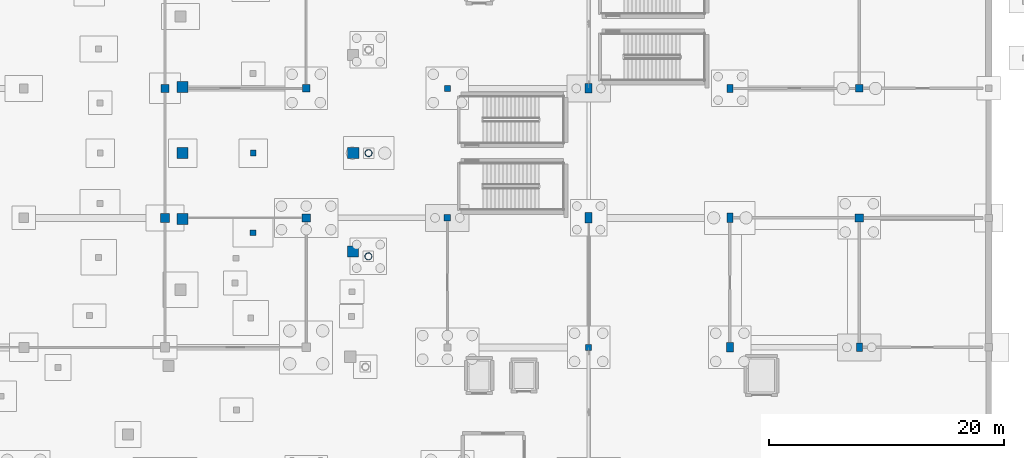
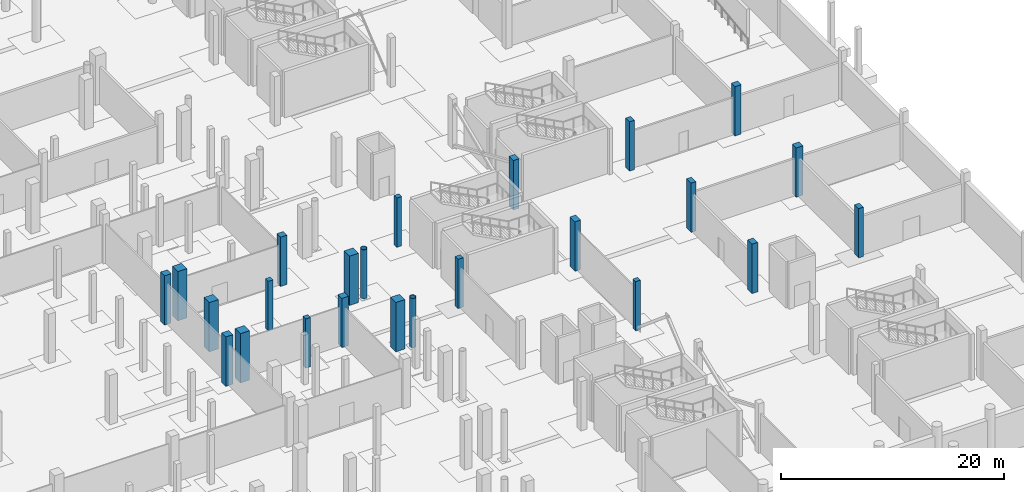
# One storey, part 19 of 60: 24 columns.
"""IFC4 building model written with IfcOpenShell, lengths in metres."""

import ifcopenshell
import ifcopenshell.guid

model = None  # the IFC model being written
_history = None  # IfcOwnerHistory: only IFC2X3 demands one
_inside = {}  # id of a spatial element -> (the spatial element, [elements in it])
_under = {}  # id of a project, library or spatial element -> (it, [spatial elements below it])
_declared = {}  # id of a project -> (the project, [libraries it declares])
_typed = {}  # id of a type object -> (the type object, [elements of that type])
_made_of = {}  # id of a material, layer set ... -> (it, [elements and type objects made of it])


def new_model(schema):
    """Start an empty IFC model of exactly this schema.

    Asked for "IFC4X3", IfcOpenShell would pick the latest addendum, in which some entities
    have other attributes; the version numbers below select the first issue.
    IFC2X3 requires an IfcOwnerHistory on every rooted entity: one is made here for all.
    """
    global model, _history
    if schema == "IFC4X3":
        model = ifcopenshell.file(schema_version=(4, 3, 0, 0))
    else:
        model = ifcopenshell.file(schema=schema)
    _inside.clear()
    _under.clear()
    _declared.clear()
    _typed.clear()
    _made_of.clear()
    _history = None
    if model.schema == "IFC2X3":
        org = make("IfcOrganization", Name="unknown")
        user = make(
            "IfcPersonAndOrganization",
            ThePerson=make("IfcPerson", FamilyName="unknown"),
            TheOrganization=org,
        )
        app = make(
            "IfcApplication",
            ApplicationDeveloper=org,
            Version="unknown",
            ApplicationFullName="unknown",
            ApplicationIdentifier="unknown",
        )
        _history = make(
            "IfcOwnerHistory",
            OwningUser=user,
            OwningApplication=app,
            ChangeAction="ADDED",
            CreationDate=0,
        )
    return model


def make(cls, **values):
    """One entity of the class cls with the attributes given. An attribute that is None is left unset."""
    return model.create_entity(
        cls, **{name: value for name, value in values.items() if value is not None}
    )


def rooted(cls, **values):
    """An entity with a GlobalId (a new one), such as an element, a storey or a relation."""
    return make(cls, GlobalId=ifcopenshell.guid.new(), OwnerHistory=_history, **values)


def si_unit(unit_type, name, prefix=None):
    """IfcSIUnit, for example si_unit("LENGTHUNIT", "METRE", prefix="MILLI")."""
    return make("IfcSIUnit", UnitType=unit_type, Prefix=prefix, Name=name)


def assignment(units):
    """IfcUnitAssignment: the units of a project."""
    return None if units is None else make("IfcUnitAssignment", Units=units)


def point(xyz):
    """IfcCartesianPoint."""
    return None if xyz is None else make("IfcCartesianPoint", Coordinates=xyz)


def direction(xyz):
    """IfcDirection."""
    return None if xyz is None else make("IfcDirection", DirectionRatios=xyz)


def frame(location, z_axis=None, x_axis=None):
    """IfcAxis2Placement3D, a coordinate frame: its origin and axes. An axis left out is left unset."""
    return make(
        "IfcAxis2Placement3D",
        Location=point(location),
        Axis=direction(z_axis),
        RefDirection=direction(x_axis),
    )


def frame_2d(location, x_axis=None):
    """IfcAxis2Placement2D, a coordinate frame in the plane: its origin and x axis."""
    return make(
        "IfcAxis2Placement2D", Location=point(location), RefDirection=direction(x_axis)
    )


def origin():
    """The frame at (0, 0, 0) with its axes left unset."""
    return frame((0.0, 0.0, 0.0))


def origin_2d():
    """The frame at (0, 0) in the plane with its x axis left unset."""
    return frame_2d((0.0, 0.0))


def place(relative_to, where):
    """IfcLocalPlacement: puts the frame where relative to a parent placement (None: the world)."""
    return make(
        "IfcLocalPlacement", PlacementRelTo=relative_to, RelativePlacement=where
    )


def context(
    kind, dimensions, precision=None, world=None, true_north=None, identifier=None
):
    """IfcGeometricRepresentationContext, for example the 3D "Model" context."""
    return make(
        "IfcGeometricRepresentationContext",
        ContextIdentifier=identifier,
        ContextType=kind,
        CoordinateSpaceDimension=dimensions,
        Precision=precision,
        WorldCoordinateSystem=world,
        TrueNorth=true_north,
    )


def subcontext(parent, identifier, kind, view, scale=None):
    """IfcGeometricRepresentationSubContext, for example "Body" below "Model"."""
    return make(
        "IfcGeometricRepresentationSubContext",
        ContextIdentifier=identifier,
        ContextType=kind,
        ParentContext=parent,
        TargetScale=scale,
        TargetView=view,
    )


def project(units=None, contexts=None):
    """IfcProject with its units and contexts."""
    return rooted(
        "IfcProject",
        Name="project",
        RepresentationContexts=contexts,
        UnitsInContext=assignment(units),
    )


def spatial(cls, under=None, at=None, **own):
    """A site, building, storey or space (cls), placed at a placement, below another one or the project."""
    s = rooted(cls, ObjectPlacement=at, **own)
    if under is not None:
        _under.setdefault(under.id(), (under, []))[1].append(s)
    return s


def profile(cls, at=None, kind="AREA", **sizes):
    """A parametric profile (cls). Its sizes go by their IFC names, for example OverallWidth=200.0."""
    return make(cls, ProfileType=kind, Position=at, **sizes)


def rectangle(**sizes):
    """IfcRectangleProfileDef."""
    return profile("IfcRectangleProfileDef", **sizes)


def hollow_circle(**sizes):
    """IfcCircleHollowProfileDef."""
    return profile("IfcCircleHollowProfileDef", **sizes)


def extrude(swept, where, along, depth):
    """IfcExtrudedAreaSolid: the profile swept, set in the frame where, extruded along a direction by depth."""
    return make(
        "IfcExtrudedAreaSolid",
        SweptArea=swept,
        Position=where,
        ExtrudedDirection=direction(along),
        Depth=depth,
    )


def shape(context_of_items, identifier, shape_type, items):
    """IfcShapeRepresentation: the items that make up one representation, for example the "Body"."""
    return make(
        "IfcShapeRepresentation",
        ContextOfItems=context_of_items,
        RepresentationIdentifier=identifier,
        RepresentationType=shape_type,
        Items=items,
    )


def material(Name=None, Category=None):
    """IfcMaterial."""
    return make("IfcMaterial", Name=Name, Category=Category)


def material_profile(
    of_material, cross_section, Name=None, Category=None, Priority=None
):
    """IfcMaterialProfile: a cross section and its material."""
    return make(
        "IfcMaterialProfile",
        Name=Name,
        Material=of_material,
        Profile=cross_section,
        Priority=Priority,
        Category=Category,
    )


def profile_set(profiles, Name=None, composite=None):
    """IfcMaterialProfileSet."""
    return make(
        "IfcMaterialProfileSet",
        Name=Name,
        MaterialProfiles=profiles,
        CompositeProfile=composite,
    )


def made_of(thing, what):
    """Note that an element or type object is made of a material, layer set ...; save() writes the relation."""
    if what is not None:
        _made_of.setdefault(what.id(), (what, []))[1].append(thing)
    return thing


def type_object(cls, material=None, **own):
    """A type object (cls), such as IfcWallType, which elements share."""
    return made_of(rooted(cls, **own), material)


def element(
    cls,
    number,
    at=None,
    inside=None,
    cuts=None,
    type_object=None,
    material=None,
    context=None,
    identifier="Body",
    shape_type=None,
    held_by="IfcProductDefinitionShape",
    body=None,
    shapes=None,
    **own,
):
    """One element of the class cls, such as IfcWall. Its Tag is "e" and its number.

    at: its placement. inside: the storey or other place that contains it. cuts: it is an
    opening in that element (IfcRelVoidsElement). A single representation is given by context,
    identifier, shape_type and body (its items); several are given by shapes. held_by: the class
    of the entity that holds the representations. save() writes the other relations.
    """
    e = rooted(cls, Tag="e%d" % number, ObjectPlacement=at, **own)
    if body is not None:
        shapes = [shape(context, identifier, shape_type, body)]
    if shapes is not None:
        e.Representation = make(held_by, Representations=shapes)
    if inside is not None:
        _inside.setdefault(inside.id(), (inside, []))[1].append(e)
    if cuts is not None:
        rooted(
            "IfcRelVoidsElement", RelatingBuildingElement=cuts, RelatedOpeningElement=e
        )
    if type_object is not None:
        _typed.setdefault(type_object.id(), (type_object, []))[1].append(e)
    return made_of(e, material)


def aggregate(whole, parts):
    """IfcRelAggregates: a whole, such as a stair, and the parts it consists of."""
    return rooted("IfcRelAggregates", RelatingObject=whole, RelatedObjects=parts)


def save(model, path):
    """Write the relations noted so far, then the file.

    IfcRelAggregates (storeys below a building ...), IfcRelContainedInSpatialStructure (elements
    in a storey), IfcRelDefinesByType, IfcRelAssociatesMaterial and IfcRelDeclares: one each for
    every whole, place, type object, material and project.
    """
    for whole, parts in _under.values():
        aggregate(whole, parts)
    for where, things in _inside.values():
        rooted(
            "IfcRelContainedInSpatialStructure",
            RelatedElements=things,
            RelatingStructure=where,
        )
    for kind, things in _typed.values():
        rooted("IfcRelDefinesByType", RelatedObjects=things, RelatingType=kind)
    for what, things in _made_of.values():
        rooted("IfcRelAssociatesMaterial", RelatedObjects=things, RelatingMaterial=what)
    for by, libraries in _declared.values():
        rooted("IfcRelDeclares", RelatingContext=by, RelatedDefinitions=libraries)
    model.write(path)


model = new_model("IFC4")

# Units and contexts
model_context = context("Model", 3, precision=1e-05, world=origin(), true_north=direction((0.0, 1.0)))
body_context = subcontext(model_context, "Body", "Model", "MODEL_VIEW")
ifc_project = project(units=[si_unit("LENGTHUNIT", "METRE"), si_unit("AREAUNIT", "SQUARE_METRE"), si_unit("VOLUMEUNIT", "CUBIC_METRE"), si_unit("PLANEANGLEUNIT", "RADIAN"), si_unit("MASSUNIT", "GRAM", prefix="KILO")], contexts=[model_context])

# Site, building, storey
site_placement = place(None, origin())
site = spatial("IfcSite", under=ifc_project, at=site_placement, CompositionType="ELEMENT")
building_placement = place(site_placement, origin())
building = spatial("IfcBuilding", under=site, at=building_placement, Name="Luwafu Chhajja Arena", CompositionType="ELEMENT")
storey_placement = place(building_placement, frame((0.0, 0.0, -5.39990234375)))
storey = spatial("IfcBuildingStorey", under=building, at=storey_placement, Name="B1", CompositionType="ELEMENT", Elevation=-5.39990234375)

# Columns
ifc_material_1 = material(Name="Concrete C35/45", Category="concrete")
ifc_material_profile_1 = material_profile(ifc_material_1, rectangle(XDim=0.5, YDim=0.800048828125, at=origin_2d()), Name="RC 500x800")
ifc_profile_set_1 = profile_set([ifc_material_profile_1], Name="Concrete C35/45")
column_type_1 = type_object("IfcColumnType", Name="BOH Frame Column RC 500x800", PredefinedType="COLUMN", material=ifc_profile_set_1)
column_1_placement = place(storey_placement, frame((176.0, 44.0, 0.0), z_axis=(0.0, 0.0, 1.0), x_axis=(1.0, 0.0, 0.0)))
element("IfcColumn", 1, at=column_1_placement, inside=storey, type_object=column_type_1, Name="B1 Grid Column 16/E", PredefinedType="COLUMN", context=body_context, shape_type="SweptSolid", body=[
    extrude(rectangle(XDim=0.5, YDim=0.800048828125, at=origin_2d()), origin(), (0.0, 0.0, 1.0), 5.39990234375),
])
ifc_material_2 = material(Name="Concrete C40/50", Category="concrete")
ifc_material_profile_2 = material_profile(ifc_material_2, rectangle(XDim=0.949951171875, YDim=0.949951171875, at=origin_2d()), Name="RC 950x950")
ifc_profile_set_2 = profile_set([ifc_material_profile_2], Name="Concrete C40/50")
column_type_2 = type_object("IfcColumnType", Name="Bowl Raker Support Column RC 950", PredefinedType="COLUMN", material=ifc_profile_set_2)
for number, where, z_axis, x_axis, name in (
    (2, (129.5, 49.5, 0.0), (0.0, 0.0, 1.0), (1.0, 0.0, 0.0), "B1 Upper Bowl Raker Column UI01"),
    (3, (129.49169921875, 55.10791015625, 0.0), (0.0, 0.0, 1.0), (1.0, 0.0, 0.0), "B1 Upper Bowl Raker Column UI02"),
    (4, (129.49169921875, 43.89208984375, 0.0), (0.0, 0.0, 1.0), (1.0, 0.0, 0.0), "B1 Upper Bowl Raker Column UI32"),
    (5, (144.0, 49.5, 0.0), (0.0, 0.0, 1.0), (1.0, 0.0, 0.0), "B1 Upper Bowl Raker Column UO01"),
    (6, (143.98779296875, 41.14794921875, 0.0), (0.0, 0.0, 1.0), (1.0, 0.0, 0.0), "B1 Upper Bowl Raker Column UO32"),
):
    element("IfcColumn", number, at=place(storey_placement, frame(where, z_axis=z_axis, x_axis=x_axis)), inside=storey, type_object=column_type_2, Name=name, PredefinedType="COLUMN", context=body_context, shape_type="SweptSolid", body=[
        extrude(rectangle(XDim=0.949951171875, YDim=0.949951171875, at=origin_2d()), origin(), (0.0, 0.0, 1.0), 5.39990234375),
    ])
ifc_material_profile_3 = material_profile(ifc_material_1, rectangle(XDim=0.550048828125, YDim=0.550048828125, at=origin_2d()), Name="RC 550x550")
ifc_profile_set_3 = profile_set([ifc_material_profile_3], Name="Concrete C35/45")
column_type_3 = type_object("IfcColumnType", Name="Gallery Column RC 550", PredefinedType="COLUMN", material=ifc_profile_set_3)
column_2_placement = place(storey_placement, frame((152.0, 44.0, 0.0), z_axis=(0.0, 0.0, 1.0), x_axis=(1.0, 0.0, 0.0)))
element("IfcColumn", 7, at=column_2_placement, inside=storey, type_object=column_type_3, Name="B1 Grid Column 14/E", PredefinedType="COLUMN", context=body_context, shape_type="SweptSolid", body=[
    extrude(rectangle(XDim=0.550048828125, YDim=0.550048828125, at=origin_2d()), origin(), (0.0, 0.0, 1.0), 5.39990234375),
])
ifc_material_profile_4 = material_profile(ifc_material_1, rectangle(XDim=0.75, YDim=0.75, at=origin_2d()), Name="RC 750x750")
ifc_profile_set_4 = profile_set([ifc_material_profile_4], Name="Concrete C35/45")
column_type_4 = type_object("IfcColumnType", Name="Hospitality Ring Column RC 750", PredefinedType="COLUMN", material=ifc_profile_set_4)
column_3_placement = place(storey_placement, frame((128.0, 44.0, 0.0), z_axis=(0.0, 0.0, 1.0), x_axis=(1.0, 0.0, 0.0)))
element("IfcColumn", 8, at=column_3_placement, inside=storey, type_object=column_type_4, Name="B1 Grid Column 12/E", PredefinedType="COLUMN", context=body_context, shape_type="SweptSolid", body=[
    extrude(rectangle(XDim=0.75, YDim=0.75, at=origin_2d()), origin(), (0.0, 0.0, 1.0), 5.39990234375),
])
ifc_material_profile_5 = material_profile(ifc_material_1, rectangle(XDim=0.5, YDim=0.5, at=origin_2d()), Name="RC 500x500")
ifc_profile_set_5 = profile_set([ifc_material_profile_5], Name="Concrete C35/45")
column_type_5 = type_object("IfcColumnType", Name="Pavilion Column RC 500", PredefinedType="COLUMN", material=ifc_profile_set_5)
for number, where, z_axis, x_axis, name in (
    (9, (152.0, 55.0, 0.0), (0.0, 0.0, 1.0), (1.0, 0.0, 0.0), "B1 Grid Column 14/F"),
    (10, (164.0, 33.0, 0.0), (0.0, 0.0, 1.0), (1.0, 0.0, 0.0), "B1 Grid Column 15/D"),
    (11, (135.5, 49.5, 0.0), (0.0, 0.0, 1.0), (1.0, 0.0, 0.0), "B1 Lower Bowl Support Column 01"),
    (12, (135.490234375, 42.73876953125, 0.0), (0.0, 0.0, 1.0), (1.0, 0.0, 0.0), "B1 Lower Bowl Support Column 32"),
):
    element("IfcColumn", number, at=place(storey_placement, frame(where, z_axis=z_axis, x_axis=x_axis)), inside=storey, type_object=column_type_5, Name=name, PredefinedType="COLUMN", context=body_context, shape_type="SweptSolid", body=[
        extrude(rectangle(XDim=0.5, YDim=0.5, at=origin_2d()), origin(), (0.0, 0.0, 1.0), 5.39990234375),
    ])
ifc_material_profile_6 = material_profile(ifc_material_1, rectangle(XDim=0.5, YDim=0.699951171875, at=origin_2d()), Name="RC 500x700")
ifc_profile_set_6 = profile_set([ifc_material_profile_6], Name="Concrete C35/45")
column_type_6 = type_object("IfcColumnType", Name="Perimeter Pilaster Column RC 500x700", PredefinedType="COLUMN", material=ifc_profile_set_6)
for number, where, z_axis, x_axis, name in (
    (13, (176.0, 55.0, 0.0), (0.0, 0.0, 1.0), (1.0, 0.0, 0.0), "B1 Grid Column 16/F"),
    (14, (187.0, 33.0, 0.0), (0.0, 0.0, 1.0), (1.0, 0.0, 0.0), "B1 Grid Column 17/D"),
):
    element("IfcColumn", number, at=place(storey_placement, frame(where, z_axis=z_axis, x_axis=x_axis)), inside=storey, type_object=column_type_6, Name=name, PredefinedType="COLUMN", context=body_context, shape_type="SweptSolid", body=[
        extrude(rectangle(XDim=0.5, YDim=0.699951171875, at=origin_2d()), origin(), (0.0, 0.0, 1.0), 5.39990234375),
    ])
ifc_material_profile_7 = material_profile(ifc_material_2, rectangle(XDim=0.60009765625, YDim=0.800048828125, at=origin_2d()), Name="RC 600x800")
ifc_profile_set_7 = profile_set([ifc_material_profile_7], Name="Concrete C40/50")
column_type_7 = type_object("IfcColumnType", Name="Pishtaq Pier Column RC 600x800", PredefinedType="COLUMN", material=ifc_profile_set_7)
for number, where, z_axis, x_axis, name in (
    (15, (164.0, 55.0, 0.0), (0.0, 0.0, 1.0), (1.0, 0.0, 0.0), "B1 Grid Column 15/F"),
    (16, (176.0, 33.0, 0.0), (0.0, 0.0, 1.0), (1.0, 0.0, 0.0), "B1 Grid Column 16/D"),
):
    element("IfcColumn", number, at=place(storey_placement, frame(where, z_axis=z_axis, x_axis=x_axis)), inside=storey, type_object=column_type_7, Name=name, PredefinedType="COLUMN", context=body_context, shape_type="SweptSolid", body=[
        extrude(rectangle(XDim=0.60009765625, YDim=0.800048828125, at=origin_2d()), origin(), (0.0, 0.0, 1.0), 5.39990234375),
    ])
ifc_material_3 = material(Name="Steel S355", Category="steel")
ifc_material_profile_8 = material_profile(ifc_material_3, hollow_circle(Radius=0.304931640625, WallThickness=0.02490234375, at=origin_2d()), Name="CHS 610x25")
ifc_profile_set_8 = profile_set([ifc_material_profile_8], Name="Steel S355")
column_type_8 = type_object("IfcColumnType", Name="Steel Bowl Drum Column CHS 610", PredefinedType="COLUMN", material=ifc_profile_set_8)
for number, where, z_axis, x_axis, name in (
    (17, (145.300048828125, 49.5, 0.0), (0.0, 0.0, 1.0), (1.0, 0.0, 0.0), "B1 Bowl Drum Column D01"),
    (18, (145.28759765625, 40.730224609375, 0.0), (0.0, 0.0, 1.0), (1.0, 0.0, 0.0), "B1 Bowl Drum Column D32"),
):
    element("IfcColumn", number, at=place(storey_placement, frame(where, z_axis=z_axis, x_axis=x_axis)), inside=storey, type_object=column_type_8, Name=name, PredefinedType="COLUMN", context=body_context, shape_type="SweptSolid", body=[
        extrude(hollow_circle(Radius=0.304931640625, WallThickness=0.02490234375, at=origin_2d()), origin(), (0.0, 0.0, 1.0), 5.39990234375),
    ])
ifc_material_profile_9 = material_profile(ifc_material_1, rectangle(XDim=0.64990234375, YDim=0.64990234375, at=origin_2d()), Name="RC 650x650")
ifc_profile_set_9 = profile_set([ifc_material_profile_9], Name="Concrete C35/45")
column_type_9 = type_object("IfcColumnType", Name="Upper Wing Column RC 650", PredefinedType="COLUMN", material=ifc_profile_set_9)
for number, where, z_axis, x_axis, name in (
    (19, (140.0, 55.0, 0.0), (0.0, 0.0, 1.0), (1.0, 0.0, 0.0), "B1 Grid Column 13/F"),
    (20, (187.0, 55.0, 0.0), (0.0, 0.0, 1.0), (1.0, 0.0, 0.0), "B1 Grid Column 17/F"),
):
    element("IfcColumn", number, at=place(storey_placement, frame(where, z_axis=z_axis, x_axis=x_axis)), inside=storey, type_object=column_type_9, Name=name, PredefinedType="COLUMN", context=body_context, shape_type="SweptSolid", body=[
        extrude(rectangle(XDim=0.64990234375, YDim=0.64990234375, at=origin_2d()), origin(), (0.0, 0.0, 1.0), 5.39990234375),
    ])
ifc_material_profile_10 = material_profile(ifc_material_2, rectangle(XDim=0.60009765625, YDim=0.89990234375, at=origin_2d()), Name="RC 600x900")
ifc_profile_set_10 = profile_set([ifc_material_profile_10], Name="Concrete C40/50")
column_type_10 = type_object("IfcColumnType", Name="Warm-Up Hall Portal Column RC 600x900", PredefinedType="COLUMN", material=ifc_profile_set_10)
column_4_placement = place(storey_placement, frame((164.0, 44.0, 0.0), z_axis=(0.0, 0.0, 1.0), x_axis=(1.0, 0.0, 0.0)))
element("IfcColumn", 21, at=column_4_placement, inside=storey, type_object=column_type_10, Name="B1 Grid Column 15/E", PredefinedType="COLUMN", context=body_context, shape_type="SweptSolid", body=[
    extrude(rectangle(XDim=0.60009765625, YDim=0.89990234375, at=origin_2d()), origin(), (0.0, 0.0, 1.0), 5.39990234375),
])
ifc_material_profile_11 = material_profile(ifc_material_1, rectangle(XDim=0.699951171875, YDim=0.699951171875, at=origin_2d()), Name="RC 700x700")
ifc_profile_set_11 = profile_set([ifc_material_profile_11], Name="Concrete C35/45")
column_type_11 = type_object("IfcColumnType", Name="Wing Frame Column RC 700", PredefinedType="COLUMN", material=ifc_profile_set_11)
for number, where, z_axis, x_axis, name in (
    (22, (128.0, 55.0, 0.0), (0.0, 0.0, 1.0), (1.0, 0.0, 0.0), "B1 Grid Column 12/F"),
    (23, (140.0, 44.0, 0.0), (0.0, 0.0, 1.0), (1.0, 0.0, 0.0), "B1 Grid Column 13/E"),
    (24, (187.0, 44.0, 0.0), (0.0, 0.0, 1.0), (1.0, 0.0, 0.0), "B1 Grid Column 17/E"),
):
    element("IfcColumn", number, at=place(storey_placement, frame(where, z_axis=z_axis, x_axis=x_axis)), inside=storey, type_object=column_type_11, Name=name, PredefinedType="COLUMN", context=body_context, shape_type="SweptSolid", body=[
        extrude(rectangle(XDim=0.699951171875, YDim=0.699951171875, at=origin_2d()), origin(), (0.0, 0.0, 1.0), 5.39990234375),
    ])

save(model, "model.ifc")
